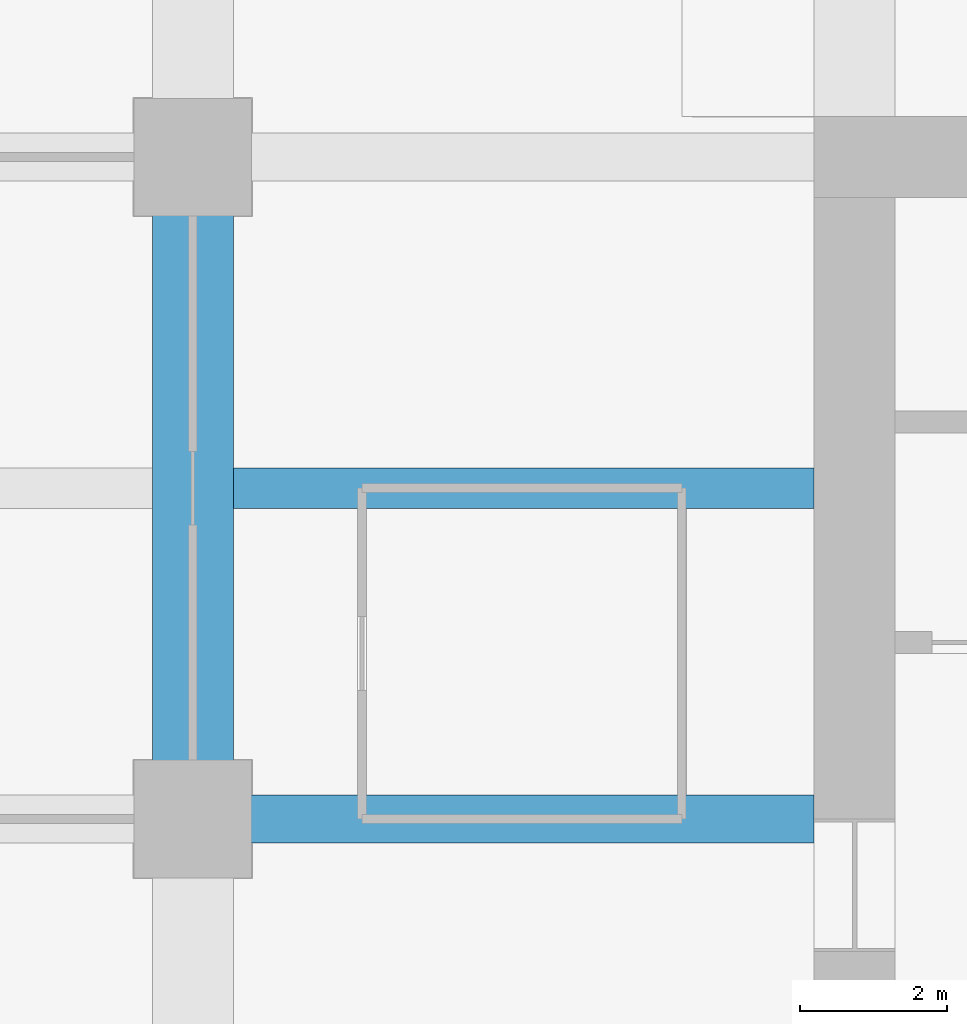
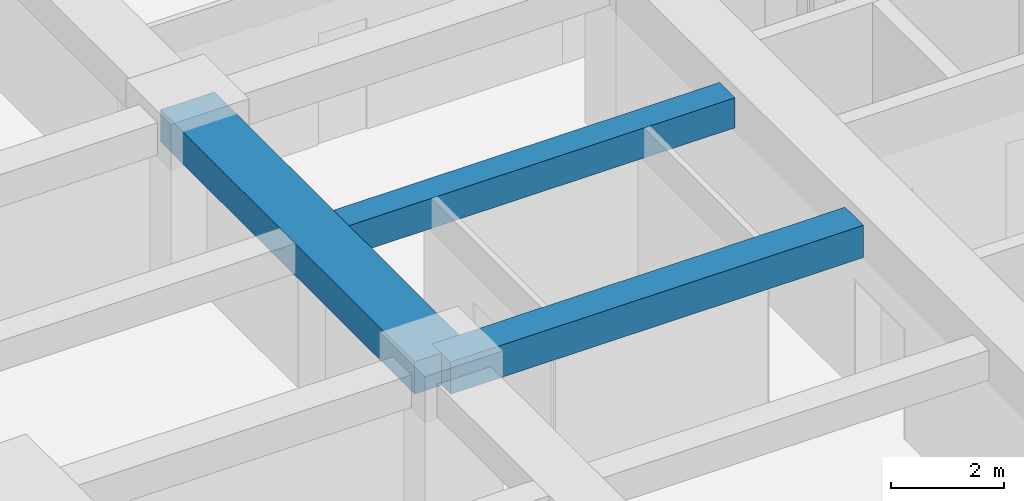
# One storey, part 12 of 32: 3 beams.
"""IFC4 building model written with IfcOpenShell, lengths in metres."""

from ifc_helpers import new_model, si_unit, direction, frame, origin, origin_2d, place, context, subcontext, project, spatial, rectangle, extrude, material, material_profile, profile_set, type_object, element, save


model = new_model("IFC4")

# Units and contexts
model_context = context("Model", 3, precision=1e-05, world=origin(), true_north=direction((0.0, 1.0)))
body_context = subcontext(model_context, "Body", "Model", "MODEL_VIEW")
ifc_project = project(units=[si_unit("LENGTHUNIT", "METRE"), si_unit("AREAUNIT", "SQUARE_METRE"), si_unit("VOLUMEUNIT", "CUBIC_METRE"), si_unit("PLANEANGLEUNIT", "RADIAN"), si_unit("MASSUNIT", "GRAM", prefix="KILO")], contexts=[model_context])

# Site, building, storey
site_placement = place(None, origin())
site = spatial("IfcSite", under=ifc_project, at=site_placement, CompositionType="ELEMENT")
building_placement = place(site_placement, origin())
building = spatial("IfcBuilding", under=site, at=building_placement, Name="Zorevar Civic Tower", CompositionType="ELEMENT")
storey_placement = place(building_placement, frame((0.0, 0.0, 190.199951171875)))
storey = spatial("IfcBuildingStorey", under=building, at=storey_placement, Name="L46", CompositionType="ELEMENT", Elevation=190.199951171875)

# Beams
ifc_material_1 = material(Name="Concrete C50/60", Category="concrete")
ifc_material_profile_1 = material_profile(ifc_material_1, rectangle(XDim=1.10009765625, YDim=0.699951171875, at=origin_2d()), Name="RC 1100x700")
ifc_profile_set_1 = profile_set([ifc_material_profile_1], Name="Concrete C50/60")
beam_type_1 = type_object("IfcBeamType", Name="Beam RC 1100x700", PredefinedType="BEAM", material=ifc_profile_set_1)
beam_1_placement = place(storey_placement, frame((9.0, 27.0, 3.400146484375), z_axis=(0.0, 1.0, 0.0), x_axis=(-1.0, 0.0, 0.0)))
element("IfcBeam", 1, at=beam_1_placement, inside=storey, type_object=beam_type_1, Name="Girder L47", PredefinedType="BEAM", context=body_context, shape_type="SweptSolid", body=[
    extrude(rectangle(XDim=1.10009765625, YDim=0.699951171875, at=origin_2d()), origin(), (0.0, 0.0, 1.0), 9.0),
])
ifc_material_2 = material(Name="Concrete C50/60", Category="concrete")
ifc_material_profile_2 = material_profile(ifc_material_2, rectangle(XDim=0.550048828125, YDim=0.64990234375, at=origin_2d()), Name="RC 550x650")
ifc_profile_set_2 = profile_set([ifc_material_profile_2], Name="Concrete C50/60")
beam_type_2 = type_object("IfcBeamType", Name="Beam RC 550x650", PredefinedType="BEAM", material=ifc_profile_set_2)
beam_2_placement = place(storey_placement, frame((9.550048828125, 31.5, 3.425048828125), z_axis=(1.0, 0.0, 0.0), x_axis=(0.0, 1.0, 0.0)))
element("IfcBeam", 2, at=beam_2_placement, inside=storey, type_object=beam_type_2, Name="Secondary beam L47", PredefinedType="BEAM", context=body_context, shape_type="SweptSolid", body=[
    extrude(rectangle(XDim=0.550048828125, YDim=0.64990234375, at=origin_2d()), origin(), (0.0, 0.0, 1.0), 7.89990234375),
])
ifc_material_3 = material(Name="Concrete C50/60", Category="concrete")
ifc_material_profile_3 = material_profile(ifc_material_3, rectangle(XDim=0.64990234375, YDim=0.699951171875, at=origin_2d()), Name="RC 650x700")
ifc_profile_set_3 = profile_set([ifc_material_profile_3], Name="Concrete C50/60")
beam_type_3 = type_object("IfcBeamType", Name="Beam RC 650x700", PredefinedType="BEAM", material=ifc_profile_set_3)
beam_3_placement = place(storey_placement, frame((9.0, 27.0, 3.400146484375), z_axis=(1.0, 0.0, 0.0), x_axis=(0.0, 1.0, 0.0)))
element("IfcBeam", 3, at=beam_3_placement, inside=storey, type_object=beam_type_3, Name="Girder L47", PredefinedType="BEAM", context=body_context, shape_type="SweptSolid", body=[
    extrude(rectangle(XDim=0.64990234375, YDim=0.699951171875, at=origin_2d()), origin(), (0.0, 0.0, 1.0), 8.449951171875),
])

save(model, "model.ifc")
